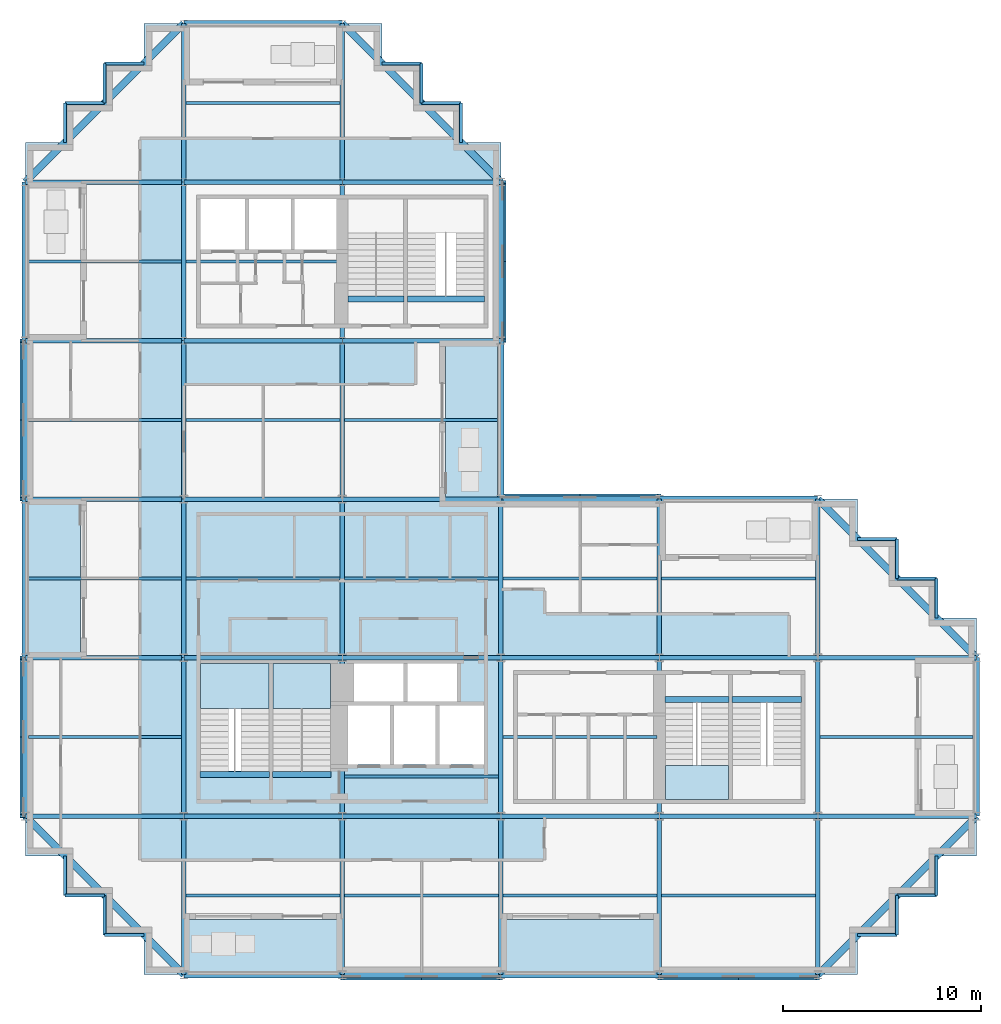
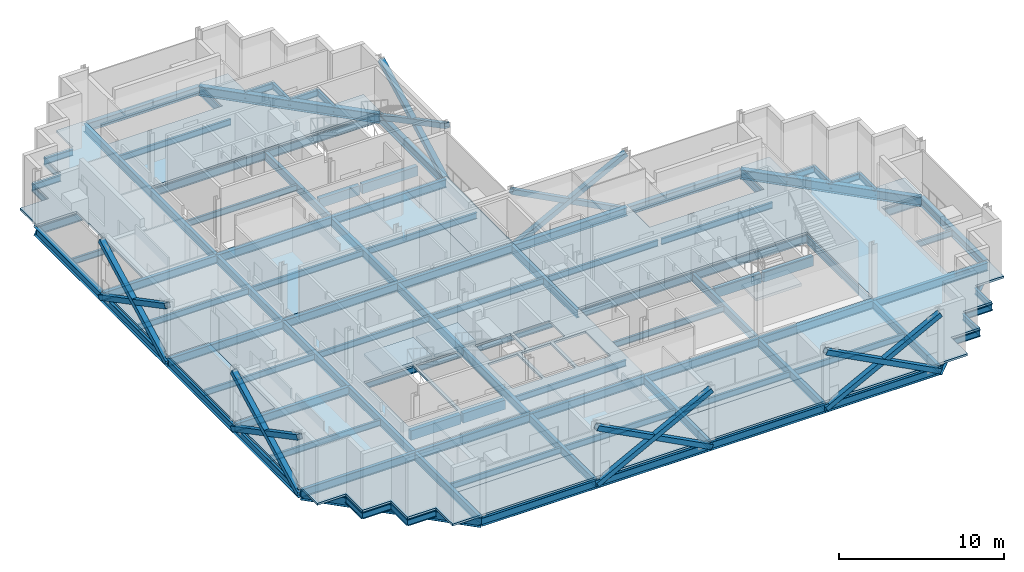
# One storey, part 3 of 13: 106 beams, 12 members, 9 slabs, 3 elements without a shape of their own.
"""IFC4 building model written with IfcOpenShell, lengths in metres."""

import ifcopenshell
import ifcopenshell.guid

model = None  # the IFC model being written
_history = None  # IfcOwnerHistory: only IFC2X3 demands one
_inside = {}  # id of a spatial element -> (the spatial element, [elements in it])
_under = {}  # id of a project, library or spatial element -> (it, [spatial elements below it])
_declared = {}  # id of a project -> (the project, [libraries it declares])
_typed = {}  # id of a type object -> (the type object, [elements of that type])
_made_of = {}  # id of a material, layer set ... -> (it, [elements and type objects made of it])


def new_model(schema):
    """Start an empty IFC model of exactly this schema.

    Asked for "IFC4X3", IfcOpenShell would pick the latest addendum, in which some entities
    have other attributes; the version numbers below select the first issue.
    IFC2X3 requires an IfcOwnerHistory on every rooted entity: one is made here for all.
    """
    global model, _history
    if schema == "IFC4X3":
        model = ifcopenshell.file(schema_version=(4, 3, 0, 0))
    else:
        model = ifcopenshell.file(schema=schema)
    _inside.clear()
    _under.clear()
    _declared.clear()
    _typed.clear()
    _made_of.clear()
    _history = None
    if model.schema == "IFC2X3":
        org = make("IfcOrganization", Name="unknown")
        user = make(
            "IfcPersonAndOrganization",
            ThePerson=make("IfcPerson", FamilyName="unknown"),
            TheOrganization=org,
        )
        app = make(
            "IfcApplication",
            ApplicationDeveloper=org,
            Version="unknown",
            ApplicationFullName="unknown",
            ApplicationIdentifier="unknown",
        )
        _history = make(
            "IfcOwnerHistory",
            OwningUser=user,
            OwningApplication=app,
            ChangeAction="ADDED",
            CreationDate=0,
        )
    return model


def make(cls, **values):
    """One entity of the class cls with the attributes given. An attribute that is None is left unset."""
    return model.create_entity(
        cls, **{name: value for name, value in values.items() if value is not None}
    )


def rooted(cls, **values):
    """An entity with a GlobalId (a new one), such as an element, a storey or a relation."""
    return make(cls, GlobalId=ifcopenshell.guid.new(), OwnerHistory=_history, **values)


def si_unit(unit_type, name, prefix=None):
    """IfcSIUnit, for example si_unit("LENGTHUNIT", "METRE", prefix="MILLI")."""
    return make("IfcSIUnit", UnitType=unit_type, Prefix=prefix, Name=name)


def assignment(units):
    """IfcUnitAssignment: the units of a project."""
    return None if units is None else make("IfcUnitAssignment", Units=units)


def point(xyz):
    """IfcCartesianPoint."""
    return None if xyz is None else make("IfcCartesianPoint", Coordinates=xyz)


def direction(xyz):
    """IfcDirection."""
    return None if xyz is None else make("IfcDirection", DirectionRatios=xyz)


def frame(location, z_axis=None, x_axis=None):
    """IfcAxis2Placement3D, a coordinate frame: its origin and axes. An axis left out is left unset."""
    return make(
        "IfcAxis2Placement3D",
        Location=point(location),
        Axis=direction(z_axis),
        RefDirection=direction(x_axis),
    )


def frame_2d(location, x_axis=None):
    """IfcAxis2Placement2D, a coordinate frame in the plane: its origin and x axis."""
    return make(
        "IfcAxis2Placement2D", Location=point(location), RefDirection=direction(x_axis)
    )


def origin():
    """The frame at (0, 0, 0) with its axes left unset."""
    return frame((0.0, 0.0, 0.0))


def origin_2d():
    """The frame at (0, 0) in the plane with its x axis left unset."""
    return frame_2d((0.0, 0.0))


def place(relative_to, where):
    """IfcLocalPlacement: puts the frame where relative to a parent placement (None: the world)."""
    return make(
        "IfcLocalPlacement", PlacementRelTo=relative_to, RelativePlacement=where
    )


def context(
    kind, dimensions, precision=None, world=None, true_north=None, identifier=None
):
    """IfcGeometricRepresentationContext, for example the 3D "Model" context."""
    return make(
        "IfcGeometricRepresentationContext",
        ContextIdentifier=identifier,
        ContextType=kind,
        CoordinateSpaceDimension=dimensions,
        Precision=precision,
        WorldCoordinateSystem=world,
        TrueNorth=true_north,
    )


def subcontext(parent, identifier, kind, view, scale=None):
    """IfcGeometricRepresentationSubContext, for example "Body" below "Model"."""
    return make(
        "IfcGeometricRepresentationSubContext",
        ContextIdentifier=identifier,
        ContextType=kind,
        ParentContext=parent,
        TargetScale=scale,
        TargetView=view,
    )


def project(units=None, contexts=None):
    """IfcProject with its units and contexts."""
    return rooted(
        "IfcProject",
        Name="project",
        RepresentationContexts=contexts,
        UnitsInContext=assignment(units),
    )


def spatial(cls, under=None, at=None, **own):
    """A site, building, storey or space (cls), placed at a placement, below another one or the project."""
    s = rooted(cls, ObjectPlacement=at, **own)
    if under is not None:
        _under.setdefault(under.id(), (under, []))[1].append(s)
    return s


def polyline(points):
    """IfcPolyline through the points."""
    return make("IfcPolyline", Points=[point(p) for p in points])


def profile(cls, at=None, kind="AREA", **sizes):
    """A parametric profile (cls). Its sizes go by their IFC names, for example OverallWidth=200.0."""
    return make(cls, ProfileType=kind, Position=at, **sizes)


def rectangle(**sizes):
    """IfcRectangleProfileDef."""
    return profile("IfcRectangleProfileDef", **sizes)


def hollow_rectangle(**sizes):
    """IfcRectangleHollowProfileDef."""
    return profile("IfcRectangleHollowProfileDef", **sizes)


def i_section(**sizes):
    """IfcIShapeProfileDef."""
    return profile("IfcIShapeProfileDef", **sizes)


def outline(outer, holes=None, kind="AREA"):
    """IfcArbitraryClosedProfileDef: a profile drawn as a closed curve; with holes, ...WithVoids."""
    if holes is None:
        return make("IfcArbitraryClosedProfileDef", ProfileType=kind, OuterCurve=outer)
    return make(
        "IfcArbitraryProfileDefWithVoids",
        ProfileType=kind,
        OuterCurve=outer,
        InnerCurves=holes,
    )


def extrude(swept, where, along, depth):
    """IfcExtrudedAreaSolid: the profile swept, set in the frame where, extruded along a direction by depth."""
    return make(
        "IfcExtrudedAreaSolid",
        SweptArea=swept,
        Position=where,
        ExtrudedDirection=direction(along),
        Depth=depth,
    )


def shape(context_of_items, identifier, shape_type, items):
    """IfcShapeRepresentation: the items that make up one representation, for example the "Body"."""
    return make(
        "IfcShapeRepresentation",
        ContextOfItems=context_of_items,
        RepresentationIdentifier=identifier,
        RepresentationType=shape_type,
        Items=items,
    )


def material(Name=None, Category=None):
    """IfcMaterial."""
    return make("IfcMaterial", Name=Name, Category=Category)


def layer(
    of_material, thickness, ventilated=None, Name=None, Category=None, Priority=None
):
    """IfcMaterialLayer: one layer of a wall or slab, of a material (None: an air gap)."""
    return make(
        "IfcMaterialLayer",
        Material=of_material,
        LayerThickness=thickness,
        IsVentilated=ventilated,
        Name=Name,
        Category=Category,
        Priority=Priority,
    )


def layer_set(layers, Name=None):
    """IfcMaterialLayerSet."""
    return make("IfcMaterialLayerSet", MaterialLayers=layers, LayerSetName=Name)


def material_profile(
    of_material, cross_section, Name=None, Category=None, Priority=None
):
    """IfcMaterialProfile: a cross section and its material."""
    return make(
        "IfcMaterialProfile",
        Name=Name,
        Material=of_material,
        Profile=cross_section,
        Priority=Priority,
        Category=Category,
    )


def profile_set(profiles, Name=None, composite=None):
    """IfcMaterialProfileSet."""
    return make(
        "IfcMaterialProfileSet",
        Name=Name,
        MaterialProfiles=profiles,
        CompositeProfile=composite,
    )


def made_of(thing, what):
    """Note that an element or type object is made of a material, layer set ...; save() writes the relation."""
    if what is not None:
        _made_of.setdefault(what.id(), (what, []))[1].append(thing)
    return thing


def type_object(cls, material=None, **own):
    """A type object (cls), such as IfcWallType, which elements share."""
    return made_of(rooted(cls, **own), material)


def element(
    cls,
    number,
    at=None,
    inside=None,
    cuts=None,
    type_object=None,
    material=None,
    context=None,
    identifier="Body",
    shape_type=None,
    held_by="IfcProductDefinitionShape",
    body=None,
    shapes=None,
    **own,
):
    """One element of the class cls, such as IfcWall. Its Tag is "e" and its number.

    at: its placement. inside: the storey or other place that contains it. cuts: it is an
    opening in that element (IfcRelVoidsElement). A single representation is given by context,
    identifier, shape_type and body (its items); several are given by shapes. held_by: the class
    of the entity that holds the representations. save() writes the other relations.
    """
    e = rooted(cls, Tag="e%d" % number, ObjectPlacement=at, **own)
    if body is not None:
        shapes = [shape(context, identifier, shape_type, body)]
    if shapes is not None:
        e.Representation = make(held_by, Representations=shapes)
    if inside is not None:
        _inside.setdefault(inside.id(), (inside, []))[1].append(e)
    if cuts is not None:
        rooted(
            "IfcRelVoidsElement", RelatingBuildingElement=cuts, RelatedOpeningElement=e
        )
    if type_object is not None:
        _typed.setdefault(type_object.id(), (type_object, []))[1].append(e)
    return made_of(e, material)


def aggregate(whole, parts):
    """IfcRelAggregates: a whole, such as a stair, and the parts it consists of."""
    return rooted("IfcRelAggregates", RelatingObject=whole, RelatedObjects=parts)


def save(model, path):
    """Write the relations noted so far, then the file.

    IfcRelAggregates (storeys below a building ...), IfcRelContainedInSpatialStructure (elements
    in a storey), IfcRelDefinesByType, IfcRelAssociatesMaterial and IfcRelDeclares: one each for
    every whole, place, type object, material and project.
    """
    for whole, parts in _under.values():
        aggregate(whole, parts)
    for where, things in _inside.values():
        rooted(
            "IfcRelContainedInSpatialStructure",
            RelatedElements=things,
            RelatingStructure=where,
        )
    for kind, things in _typed.values():
        rooted("IfcRelDefinesByType", RelatedObjects=things, RelatingType=kind)
    for what, things in _made_of.values():
        rooted("IfcRelAssociatesMaterial", RelatedObjects=things, RelatingMaterial=what)
    for by, libraries in _declared.values():
        rooted("IfcRelDeclares", RelatingContext=by, RelatedDefinitions=libraries)
    model.write(path)


model = new_model("IFC4")

# Units and contexts
model_context = context("Model", 3, precision=1e-05, world=origin(), true_north=direction((0.0, 1.0)))
body_context = subcontext(model_context, "Body", "Model", "MODEL_VIEW")
ifc_project = project(units=[si_unit("LENGTHUNIT", "METRE"), si_unit("AREAUNIT", "SQUARE_METRE"), si_unit("VOLUMEUNIT", "CUBIC_METRE"), si_unit("PLANEANGLEUNIT", "RADIAN"), si_unit("MASSUNIT", "GRAM", prefix="KILO")], contexts=[model_context])

# Site, building, storey
site_placement = place(None, origin())
site = spatial("IfcSite", under=ifc_project, at=site_placement, CompositionType="ELEMENT")
building_placement = place(site_placement, origin())
building = spatial("IfcBuilding", under=site, at=building_placement, Name="Immortelle Media Tower", CompositionType="ELEMENT")
storey_placement = place(building_placement, frame((0.0, 0.0, 166.199951171875)))
storey = spatial("IfcBuildingStorey", under=building, at=storey_placement, Name="L34", CompositionType="ELEMENT", Elevation=166.199951171875)

# Members
ifc_material_1 = material(Name="Steel ASTM A500 Gr C", Category="steel")
ifc_material_profile_1 = material_profile(ifc_material_1, hollow_rectangle(XDim=0.35595703125, YDim=0.35595703125, WallThickness=0.011962890625, at=origin_2d()), Name="HSS14x14x1/2 brace")
ifc_profile_set_1 = profile_set([ifc_material_profile_1], Name="Steel ASTM A500 Gr C")
member_type = type_object("IfcMemberType", Name="HSS14x14x1/2 brace", PredefinedType="BRACE", material=ifc_profile_set_1)
for number, where, z_axis, x_axis, name in (
    (1, (16.0, -0.087890625, -0.4560546875), (0.885389006355, 0.0, 0.464850844279), (0.0, 1.0, 0.0), "Brace A/3-4 A"),
    (2, (16.0, -0.087890625, 3.744140625), (0.885389006355, 0.0, -0.464850844279), (0.0, 1.0, 0.0), "Brace A/3-4 B"),
    (3, (32.0, -0.087890625, -0.4560546875), (0.885389006355, 0.0, 0.464850844279), (0.0, 1.0, 0.0), "Brace A/5-6 A"),
    (4, (32.0, -0.087890625, 3.744140625), (0.885389006355, 0.0, -0.464850844279), (0.0, 1.0, 0.0), "Brace A/5-6 B"),
    (5, (32.0, 24.087890625, -0.4560546875), (-0.885389006355, 0.0, 0.464850844279), (0.0, -1.0, 0.0), "Brace D/4-5 A"),
    (6, (32.0, 24.087890625, 3.744140625), (-0.885389006355, 0.0, -0.464850844279), (0.0, -1.0, 0.0), "Brace D/4-5 B"),
    (7, (24.087890625, 32.0, -0.4560546875), (0.0, 0.885389006355, 0.464850844279), (-1.0, 0.0, 0.0), "Brace 4/E-F A"),
    (8, (24.087890625, 32.0, 3.744140625), (0.0, 0.885389006355, -0.464850844279), (-1.0, 0.0, 0.0), "Brace 4/E-F B"),
    (9, (-0.087890625, 32.0, -0.4560546875), (0.0, -0.885389006355, 0.464850844279), (1.0, 0.0, 0.0), "Brace 1/D-E A"),
    (10, (-0.087890625, 32.0, 3.744140625), (0.0, -0.885389006355, -0.464850844279), (1.0, 0.0, 0.0), "Brace 1/D-E B"),
    (11, (-0.087890625, 16.0, -0.4560546875), (0.0, -0.885389006355, 0.464850844279), (1.0, 0.0, 0.0), "Brace 1/B-C A"),
    (12, (-0.087890625, 16.0, 3.744140625), (0.0, -0.885389006355, -0.464850844279), (1.0, 0.0, 0.0), "Brace 1/B-C B"),
):
    element("IfcMember", number, at=place(storey_placement, frame(where, z_axis=z_axis, x_axis=x_axis)), inside=storey, type_object=member_type, Name=name, PredefinedType="BRACE", context=body_context, shape_type="SweptSolid", body=[
        extrude(hollow_rectangle(XDim=0.35595703125, YDim=0.35595703125, WallThickness=0.011962890625, at=origin_2d()), origin(), (0.0, 0.0, 1.0), 9.03564453125),
    ])

# Beams
ifc_material_2 = material(Name="Concrete C50/60", Category="concrete")
ifc_material_profile_2 = material_profile(ifc_material_2, rectangle(XDim=0.300048828125, YDim=0.699951171875, at=origin_2d()), Name="RC 300x700")
ifc_profile_set_2 = profile_set([ifc_material_profile_2], Name="Concrete C50/60")
beam_type_1 = type_object("IfcBeamType", Name="Stair trimmer beam 300 x 700", PredefinedType="BEAM", material=ifc_profile_set_2)
beam_1_placement = place(storey_placement, frame((8.830078125, 10.10498046875, -0.5), z_axis=(1.0, 0.0, 0.0), x_axis=(0.0, 1.0, 0.0)))
element("IfcBeam", 13, at=beam_1_placement, inside=storey, type_object=beam_type_1, Name="Stair trimmer beam SW1", PredefinedType="BEAM", context=body_context, shape_type="SweptSolid", body=[
    extrude(rectangle(XDim=0.300048828125, YDim=0.699951171875, at=origin_2d()), origin(), (0.0, 0.0, 1.0), 3.489990234375),
])
beam_2_placement = place(storey_placement, frame((12.47998046875, 10.10498046875, -0.5), z_axis=(1.0, 0.0, 0.0), x_axis=(0.0, 1.0, 0.0)))
element("IfcBeam", 14, at=beam_2_placement, inside=storey, type_object=beam_type_1, Name="Stair trimmer beam SW2", PredefinedType="BEAM", context=body_context, shape_type="SweptSolid", body=[
    extrude(rectangle(XDim=0.300048828125, YDim=0.699951171875, at=origin_2d()), origin(), (0.0, 0.0, 1.0), 2.93994140625),
])
beam_3_placement = place(storey_placement, frame((32.280029296875, 13.89501953125, -0.5), z_axis=(1.0, 0.0, 0.0), x_axis=(0.0, 1.0, 0.0)))
element("IfcBeam", 15, at=beam_3_placement, inside=storey, type_object=beam_type_1, Name="Stair trimmer beam SE1", PredefinedType="BEAM", context=body_context, shape_type="SweptSolid", body=[
    extrude(rectangle(XDim=0.300048828125, YDim=0.699951171875, at=origin_2d()), origin(), (0.0, 0.0, 1.0), 3.239990234375),
])
beam_4_placement = place(storey_placement, frame((35.679931640625, 13.89501953125, -0.5), z_axis=(1.0, 0.0, 0.0), x_axis=(0.0, 1.0, 0.0)))
element("IfcBeam", 16, at=beam_4_placement, inside=storey, type_object=beam_type_1, Name="Stair trimmer beam SE2", PredefinedType="BEAM", context=body_context, shape_type="SweptSolid", body=[
    extrude(rectangle(XDim=0.300048828125, YDim=0.699951171875, at=origin_2d()), origin(), (0.0, 0.0, 1.0), 3.489990234375),
])
beam_5_placement = place(storey_placement, frame((16.280029296875, 34.10498046875, -0.5), z_axis=(1.0, 0.0, 0.0), x_axis=(0.0, 1.0, 0.0)))
element("IfcBeam", 17, at=beam_5_placement, inside=storey, type_object=beam_type_1, Name="Stair trimmer beam NW1", PredefinedType="BEAM", context=body_context, shape_type="SweptSolid", body=[
    extrude(rectangle(XDim=0.300048828125, YDim=0.699951171875, at=origin_2d()), origin(), (0.0, 0.0, 1.0), 2.840087890625),
])
beam_6_placement = place(storey_placement, frame((19.280029296875, 34.10498046875, -0.5), z_axis=(1.0, 0.0, 0.0), x_axis=(0.0, 1.0, 0.0)))
element("IfcBeam", 18, at=beam_6_placement, inside=storey, type_object=beam_type_1, Name="Stair trimmer beam NW2", PredefinedType="BEAM", context=body_context, shape_type="SweptSolid", body=[
    extrude(rectangle(XDim=0.300048828125, YDim=0.699951171875, at=origin_2d()), origin(), (0.0, 0.0, 1.0), 3.889892578125),
])
ifc_material_3 = material(Name="Steel ASTM A992 Gr 50", Category="steel")
ifc_material_profile_3 = material_profile(ifc_material_3, i_section(OverallWidth=0.153076171875, OverallDepth=0.455078125, WebThickness=0.008056640625, FlangeThickness=0.012939453125, at=origin_2d()), Name="W18x40")
ifc_profile_set_3 = profile_set([ifc_material_profile_3], Name="Steel ASTM A992 Gr 50")
beam_type_2 = type_object("IfcBeamType", Name="W18x40 secondary beam", PredefinedType="JOIST", material=ifc_profile_set_3)
for number, where, z_axis, x_axis, name in (
    (19, (8.114013671875, 4.0, -0.37744140625), (1.0, 0.0, 0.0), (0.0, 1.0, 0.0), "Beam A-B/2-3"),
    (20, (16.114013671875, 4.0, -0.37744140625), (1.0, 0.0, 0.0), (0.0, 1.0, 0.0), "Beam A-B/3-4"),
    (21, (24.114013671875, 4.0, -0.37744140625), (1.0, 0.0, 0.0), (0.0, 1.0, 0.0), "Beam A-B/4-5"),
    (22, (32.114013671875, 4.0, -0.37744140625), (1.0, 0.0, 0.0), (0.0, 1.0, 0.0), "Beam A-B/5-6"),
):
    element("IfcBeam", number, at=place(storey_placement, frame(where, z_axis=z_axis, x_axis=x_axis)), inside=storey, type_object=beam_type_2, Name=name, PredefinedType="JOIST", context=body_context, shape_type="SweptSolid", body=[
        extrude(i_section(OverallWidth=0.153076171875, OverallDepth=0.455078125, WebThickness=0.008056640625, FlangeThickness=0.012939453125, at=origin_2d()), origin(), (0.0, 0.0, 1.0), 7.77197265625),
    ])
beam_7_placement = place(storey_placement, frame((0.162109375, 12.0, -0.37744140625), z_axis=(1.0, 0.0, 0.0), x_axis=(0.0, 1.0, 0.0)))
element("IfcBeam", 23, at=beam_7_placement, inside=storey, type_object=beam_type_2, Name="Beam B-C/1-2", PredefinedType="JOIST", context=body_context, shape_type="SweptSolid", body=[
    extrude(i_section(OverallWidth=0.153076171875, OverallDepth=0.455078125, WebThickness=0.008056640625, FlangeThickness=0.012939453125, at=origin_2d()), origin(), (0.0, 0.0, 1.0), 7.723876953125),
])
for number, where, z_axis, x_axis, name in (
    (24, (16.114013671875, 10.0, -0.37744140625), (1.0, 0.0, 0.0), (0.0, 1.0, 0.0), "Beam B-C/3-4"),
    (25, (24.114013671875, 12.0, -0.37744140625), (1.0, 0.0, 0.0), (0.0, 1.0, 0.0), "Beam B-C/4-5"),
):
    element("IfcBeam", number, at=place(storey_placement, frame(where, z_axis=z_axis, x_axis=x_axis)), inside=storey, type_object=beam_type_2, Name=name, PredefinedType="JOIST", context=body_context, shape_type="SweptSolid", body=[
        extrude(i_section(OverallWidth=0.153076171875, OverallDepth=0.455078125, WebThickness=0.008056640625, FlangeThickness=0.012939453125, at=origin_2d()), origin(), (0.0, 0.0, 1.0), 7.77197265625),
    ])
for number, where, z_axis, x_axis, name in (
    (26, (40.114013671875, 12.0, -0.37744140625), (1.0, 0.0, 0.0), (0.0, 1.0, 0.0), "Beam B-C/6-7"),
    (27, (0.162109375, 20.0, -0.37744140625), (1.0, 0.0, 0.0), (0.0, 1.0, 0.0), "Beam C-D/1-2"),
):
    element("IfcBeam", number, at=place(storey_placement, frame(where, z_axis=z_axis, x_axis=x_axis)), inside=storey, type_object=beam_type_2, Name=name, PredefinedType="JOIST", context=body_context, shape_type="SweptSolid", body=[
        extrude(i_section(OverallWidth=0.153076171875, OverallDepth=0.455078125, WebThickness=0.008056640625, FlangeThickness=0.012939453125, at=origin_2d()), origin(), (0.0, 0.0, 1.0), 7.723876953125),
    ])
for number, where, z_axis, x_axis, name in (
    (28, (8.114013671875, 20.0, -0.37744140625), (1.0, 0.0, 0.0), (0.0, 1.0, 0.0), "Beam C-D/2-3"),
    (29, (16.114013671875, 20.0, -0.37744140625), (1.0, 0.0, 0.0), (0.0, 1.0, 0.0), "Beam C-D/3-4"),
    (30, (24.114013671875, 20.0, -0.37744140625), (1.0, 0.0, 0.0), (0.0, 1.0, 0.0), "Beam C-D/4-5"),
    (31, (32.114013671875, 20.0, -0.37744140625), (1.0, 0.0, 0.0), (0.0, 1.0, 0.0), "Beam C-D/5-6"),
):
    element("IfcBeam", number, at=place(storey_placement, frame(where, z_axis=z_axis, x_axis=x_axis)), inside=storey, type_object=beam_type_2, Name=name, PredefinedType="JOIST", context=body_context, shape_type="SweptSolid", body=[
        extrude(i_section(OverallWidth=0.153076171875, OverallDepth=0.455078125, WebThickness=0.008056640625, FlangeThickness=0.012939453125, at=origin_2d()), origin(), (0.0, 0.0, 1.0), 7.77197265625),
    ])
beam_8_placement = place(storey_placement, frame((0.162109375, 28.0, -0.37744140625), z_axis=(1.0, 0.0, 0.0), x_axis=(0.0, 1.0, 0.0)))
element("IfcBeam", 32, at=beam_8_placement, inside=storey, type_object=beam_type_2, Name="Beam D-E/1-2", PredefinedType="JOIST", context=body_context, shape_type="SweptSolid", body=[
    extrude(i_section(OverallWidth=0.153076171875, OverallDepth=0.455078125, WebThickness=0.008056640625, FlangeThickness=0.012939453125, at=origin_2d()), origin(), (0.0, 0.0, 1.0), 7.723876953125),
])
beam_9_placement = place(storey_placement, frame((8.114013671875, 28.0, -0.37744140625), z_axis=(1.0, 0.0, 0.0), x_axis=(0.0, 1.0, 0.0)))
element("IfcBeam", 33, at=beam_9_placement, inside=storey, type_object=beam_type_2, Name="Beam D-E/2-3", PredefinedType="JOIST", context=body_context, shape_type="SweptSolid", body=[
    extrude(i_section(OverallWidth=0.153076171875, OverallDepth=0.455078125, WebThickness=0.008056640625, FlangeThickness=0.012939453125, at=origin_2d()), origin(), (0.0, 0.0, 1.0), 7.77197265625),
])
for number, where, z_axis, x_axis, name in (
    (34, (16.114013671875, 28.0, -0.37744140625), (1.0, 0.0, 0.0), (0.0, 1.0, 0.0), "Beam D-E/3-4"),
    (35, (0.162109375, 36.0, -0.37744140625), (1.0, 0.0, 0.0), (0.0, 1.0, 0.0), "Beam E-F/1-2"),
):
    element("IfcBeam", number, at=place(storey_placement, frame(where, z_axis=z_axis, x_axis=x_axis)), inside=storey, type_object=beam_type_2, Name=name, PredefinedType="JOIST", context=body_context, shape_type="SweptSolid", body=[
        extrude(i_section(OverallWidth=0.153076171875, OverallDepth=0.455078125, WebThickness=0.008056640625, FlangeThickness=0.012939453125, at=origin_2d()), origin(), (0.0, 0.0, 1.0), 7.723876953125),
    ])
for number, where, z_axis, x_axis, name in (
    (36, (8.114013671875, 36.0, -0.37744140625), (1.0, 0.0, 0.0), (0.0, 1.0, 0.0), "Beam E-F/2-3"),
    (37, (8.114013671875, 44.0, -0.37744140625), (1.0, 0.0, 0.0), (0.0, 1.0, 0.0), "Beam F-G/2-3"),
):
    element("IfcBeam", number, at=place(storey_placement, frame(where, z_axis=z_axis, x_axis=x_axis)), inside=storey, type_object=beam_type_2, Name=name, PredefinedType="JOIST", context=body_context, shape_type="SweptSolid", body=[
        extrude(i_section(OverallWidth=0.153076171875, OverallDepth=0.455078125, WebThickness=0.008056640625, FlangeThickness=0.012939453125, at=origin_2d()), origin(), (0.0, 0.0, 1.0), 7.77197265625),
    ])
ifc_material_profile_4 = material_profile(ifc_material_3, i_section(OverallWidth=0.153076171875, OverallDepth=0.455078125, WebThickness=0.008056640625, FlangeThickness=0.012939453125, at=origin_2d()), Name="W18x40")
ifc_profile_set_4 = profile_set([ifc_material_profile_4], Name="Steel ASTM A992 Gr 50")
beam_type_3 = type_object("IfcBeamType", Name="W18x40 serration edge beam", PredefinedType="SPANDREL", material=ifc_profile_set_4)
for number, where, z_axis, x_axis, name in (
    (38, (6.0, 2.0, -0.37744140625), (-1.0, 0.0, 0.0), (0.0, -1.0, 0.0), "Corner edge beam 1 at 1/A"),
    (39, (4.0, 2.0, -0.37744140625), (0.0, 1.0, 0.0), (-1.0, 0.0, 0.0), "Corner edge beam 2 at 1/A"),
    (40, (4.0, 4.0, -0.37744140625), (-1.0, 0.0, 0.0), (0.0, -1.0, 0.0), "Corner edge beam 3 at 1/A"),
    (41, (2.0, 4.0, -0.37744140625), (0.0, 1.0, 0.0), (-1.0, 0.0, 0.0), "Corner edge beam 4 at 1/A"),
    (42, (2.0, 42.0, -0.37744140625), (0.0, 1.0, 0.0), (-1.0, 0.0, 0.0), "Corner edge beam 1 at 1/G"),
    (43, (2.0, 44.0, -0.37744140625), (1.0, 0.0, 0.0), (0.0, 1.0, 0.0), "Corner edge beam 2 at 1/G"),
    (44, (4.0, 44.0, -0.37744140625), (0.0, 1.0, 0.0), (-1.0, 0.0, 0.0), "Corner edge beam 3 at 1/G"),
    (45, (4.0, 46.0, -0.37744140625), (1.0, 0.0, 0.0), (0.0, 1.0, 0.0), "Corner edge beam 4 at 1/G"),
    (46, (18.0, 46.0, -0.37744140625), (1.0, 0.0, 0.0), (0.0, 1.0, 0.0), "Corner edge beam 1 at 4/G"),
    (47, (20.0, 46.0, -0.37744140625), (0.0, -1.0, 0.0), (1.0, 0.0, 0.0), "Corner edge beam 2 at 4/G"),
    (48, (20.0, 44.0, -0.37744140625), (1.0, 0.0, 0.0), (0.0, 1.0, 0.0), "Corner edge beam 3 at 4/G"),
    (49, (22.0, 44.0, -0.37744140625), (0.0, -1.0, 0.0), (1.0, 0.0, 0.0), "Corner edge beam 4 at 4/G"),
    (50, (46.0, 6.0, -0.37744140625), (0.0, -1.0, 0.0), (1.0, 0.0, 0.0), "Corner edge beam 1 at 7/A"),
    (51, (46.0, 4.0, -0.37744140625), (-1.0, 0.0, 0.0), (0.0, -1.0, 0.0), "Corner edge beam 2 at 7/A"),
    (52, (44.0, 4.0, -0.37744140625), (0.0, -1.0, 0.0), (1.0, 0.0, 0.0), "Corner edge beam 3 at 7/A"),
    (53, (44.0, 2.0, -0.37744140625), (-1.0, 0.0, 0.0), (0.0, -1.0, 0.0), "Corner edge beam 4 at 7/A"),
    (54, (42.0, 22.0, -0.37744140625), (1.0, 0.0, 0.0), (0.0, 1.0, 0.0), "Corner edge beam 1 at 7/D"),
    (55, (44.0, 22.0, -0.37744140625), (0.0, -1.0, 0.0), (1.0, 0.0, 0.0), "Corner edge beam 2 at 7/D"),
    (56, (44.0, 20.0, -0.37744140625), (1.0, 0.0, 0.0), (0.0, 1.0, 0.0), "Corner edge beam 3 at 7/D"),
    (57, (46.0, 20.0, -0.37744140625), (0.0, -1.0, 0.0), (1.0, 0.0, 0.0), "Corner edge beam 4 at 7/D"),
):
    element("IfcBeam", number, at=place(storey_placement, frame(where, z_axis=z_axis, x_axis=x_axis)), inside=storey, type_object=beam_type_3, Name=name, PredefinedType="SPANDREL", context=body_context, shape_type="SweptSolid", body=[
        extrude(i_section(OverallWidth=0.153076171875, OverallDepth=0.455078125, WebThickness=0.008056640625, FlangeThickness=0.012939453125, at=origin_2d()), origin(), (0.0, 0.0, 1.0), 2.0),
    ])
ifc_material_profile_5 = material_profile(ifc_material_3, i_section(OverallWidth=0.323974609375, OverallDepth=0.612060546875, WebThickness=0.012939453125, FlangeThickness=0.01904296875, at=origin_2d()), Name="W24x104")
ifc_profile_set_5 = profile_set([ifc_material_profile_5], Name="Steel ASTM A992 Gr 50")
beam_type_4 = type_object("IfcBeamType", Name="W24x104 perimeter girder", PredefinedType="SPANDREL", material=ifc_profile_set_5)
for number, where, z_axis, x_axis, name in (
    (58, (0.0, 8.0, -0.4560546875), (0.0, 1.0, 0.0), (-1.0, 0.0, 0.0), "Girder 1/B-C"),
    (59, (0.0, 16.0, -0.4560546875), (0.0, 1.0, 0.0), (-1.0, 0.0, 0.0), "Girder 1/C-D"),
    (60, (0.0, 24.0, -0.4560546875), (0.0, 1.0, 0.0), (-1.0, 0.0, 0.0), "Girder 1/D-E"),
    (61, (0.0, 32.0, -0.4560546875), (0.0, 1.0, 0.0), (-1.0, 0.0, 0.0), "Girder 1/E-F"),
    (62, (8.0, 0.0, -0.4560546875), (1.0, 0.0, 0.0), (0.0, 1.0, 0.0), "Girder A/2-3"),
    (63, (8.0, 48.0, -0.4560546875), (1.0, 0.0, 0.0), (0.0, 1.0, 0.0), "Girder G/2-3"),
    (64, (16.0, 0.0, -0.4560546875), (1.0, 0.0, 0.0), (0.0, 1.0, 0.0), "Girder A/3-4"),
    (65, (24.0, 0.0, -0.4560546875), (1.0, 0.0, 0.0), (0.0, 1.0, 0.0), "Girder A/4-5"),
    (66, (24.0, 24.0, -0.4560546875), (1.0, 0.0, 0.0), (0.0, 1.0, 0.0), "Girder D/4-5"),
    (67, (24.0, 24.0, -0.4560546875), (0.0, 1.0, 0.0), (-1.0, 0.0, 0.0), "Girder 4/D-E"),
    (68, (24.0, 32.0, -0.4560546875), (0.0, 1.0, 0.0), (-1.0, 0.0, 0.0), "Girder 4/E-F"),
    (69, (32.0, 0.0, -0.4560546875), (1.0, 0.0, 0.0), (0.0, 1.0, 0.0), "Girder A/5-6"),
    (70, (32.0, 24.0, -0.4560546875), (1.0, 0.0, 0.0), (0.0, 1.0, 0.0), "Girder D/5-6"),
    (71, (48.0, 8.0, -0.4560546875), (0.0, 1.0, 0.0), (-1.0, 0.0, 0.0), "Girder 7/B-C"),
):
    element("IfcBeam", number, at=place(storey_placement, frame(where, z_axis=z_axis, x_axis=x_axis)), inside=storey, type_object=beam_type_4, Name=name, PredefinedType="SPANDREL", context=body_context, shape_type="SweptSolid", body=[
        extrude(i_section(OverallWidth=0.323974609375, OverallDepth=0.612060546875, WebThickness=0.012939453125, FlangeThickness=0.01904296875, at=origin_2d()), origin(), (0.0, 0.0, 1.0), 8.0),
    ])
ifc_material_profile_6 = material_profile(ifc_material_3, i_section(OverallWidth=0.22802734375, OverallDepth=0.60205078125, WebThickness=0.010986328125, FlangeThickness=0.014892578125, at=origin_2d()), Name="W24x68")
ifc_profile_set_6 = profile_set([ifc_material_profile_6], Name="Steel ASTM A992 Gr 50")
beam_type_5 = type_object("IfcBeamType", Name="W24x68 girder", PredefinedType="BEAM", material=ifc_profile_set_6)
for number, where, z_axis, x_axis, name in (
    (72, (0.0, 8.0, -0.450927734375), (1.0, 0.0, 0.0), (0.0, 1.0, 0.0), "Girder B/1-2"),
    (73, (0.0, 16.0, -0.450927734375), (1.0, 0.0, 0.0), (0.0, 1.0, 0.0), "Girder C/1-2"),
    (74, (0.0, 24.0, -0.450927734375), (1.0, 0.0, 0.0), (0.0, 1.0, 0.0), "Girder D/1-2"),
    (75, (0.0, 32.0, -0.450927734375), (1.0, 0.0, 0.0), (0.0, 1.0, 0.0), "Girder E/1-2"),
    (76, (0.0, 40.0, -0.450927734375), (1.0, 0.0, 0.0), (0.0, 1.0, 0.0), "Girder F/1-2"),
    (77, (8.0, 0.0, -0.450927734375), (0.0, 1.0, 0.0), (-1.0, 0.0, 0.0), "Girder 2/A-B"),
    (78, (8.0, 8.0, -0.450927734375), (1.0, 0.0, 0.0), (0.0, 1.0, 0.0), "Girder B/2-3"),
    (79, (8.0, 8.0, -0.450927734375), (0.0, 1.0, 0.0), (-1.0, 0.0, 0.0), "Girder 2/B-C"),
    (80, (8.0, 16.0, -0.450927734375), (1.0, 0.0, 0.0), (0.0, 1.0, 0.0), "Girder C/2-3"),
    (81, (8.0, 16.0, -0.450927734375), (0.0, 1.0, 0.0), (-1.0, 0.0, 0.0), "Girder 2/C-D"),
    (82, (8.0, 24.0, -0.450927734375), (1.0, 0.0, 0.0), (0.0, 1.0, 0.0), "Girder D/2-3"),
    (83, (8.0, 24.0, -0.450927734375), (0.0, 1.0, 0.0), (-1.0, 0.0, 0.0), "Girder 2/D-E"),
    (84, (8.0, 32.0, -0.450927734375), (1.0, 0.0, 0.0), (0.0, 1.0, 0.0), "Girder E/2-3"),
    (85, (8.0, 32.0, -0.450927734375), (0.0, 1.0, 0.0), (-1.0, 0.0, 0.0), "Girder 2/E-F"),
    (86, (8.0, 40.0, -0.450927734375), (1.0, 0.0, 0.0), (0.0, 1.0, 0.0), "Girder F/2-3"),
    (87, (8.0, 40.0, -0.450927734375), (0.0, 1.0, 0.0), (-1.0, 0.0, 0.0), "Girder 2/F-G"),
    (88, (16.0, 0.0, -0.450927734375), (0.0, 1.0, 0.0), (-1.0, 0.0, 0.0), "Girder 3/A-B"),
    (89, (16.0, 8.0, -0.450927734375), (1.0, 0.0, 0.0), (0.0, 1.0, 0.0), "Girder B/3-4"),
    (90, (16.0, 8.0, -0.450927734375), (0.0, 1.0, 0.0), (-1.0, 0.0, 0.0), "Girder 3/B-C"),
    (91, (16.0, 16.0, -0.450927734375), (1.0, 0.0, 0.0), (0.0, 1.0, 0.0), "Girder C/3-4"),
    (92, (16.0, 16.0, -0.450927734375), (0.0, 1.0, 0.0), (-1.0, 0.0, 0.0), "Girder 3/C-D"),
    (93, (16.0, 24.0, -0.450927734375), (1.0, 0.0, 0.0), (0.0, 1.0, 0.0), "Girder D/3-4"),
    (94, (16.0, 24.0, -0.450927734375), (0.0, 1.0, 0.0), (-1.0, 0.0, 0.0), "Girder 3/D-E"),
    (95, (16.0, 32.0, -0.450927734375), (1.0, 0.0, 0.0), (0.0, 1.0, 0.0), "Girder E/3-4"),
    (96, (16.0, 32.0, -0.450927734375), (0.0, 1.0, 0.0), (-1.0, 0.0, 0.0), "Girder 3/E-F"),
    (97, (16.0, 40.0, -0.450927734375), (1.0, 0.0, 0.0), (0.0, 1.0, 0.0), "Girder F/3-4"),
    (98, (16.0, 40.0, -0.450927734375), (0.0, 1.0, 0.0), (-1.0, 0.0, 0.0), "Girder 3/F-G"),
    (99, (24.0, 0.0, -0.450927734375), (0.0, 1.0, 0.0), (-1.0, 0.0, 0.0), "Girder 4/A-B"),
    (100, (24.0, 8.0, -0.450927734375), (1.0, 0.0, 0.0), (0.0, 1.0, 0.0), "Girder B/4-5"),
    (101, (24.0, 8.0, -0.450927734375), (0.0, 1.0, 0.0), (-1.0, 0.0, 0.0), "Girder 4/B-C"),
    (102, (24.0, 16.0, -0.450927734375), (1.0, 0.0, 0.0), (0.0, 1.0, 0.0), "Girder C/4-5"),
    (103, (24.0, 16.0, -0.450927734375), (0.0, 1.0, 0.0), (-1.0, 0.0, 0.0), "Girder 4/C-D"),
    (104, (32.0, 0.0, -0.450927734375), (0.0, 1.0, 0.0), (-1.0, 0.0, 0.0), "Girder 5/A-B"),
    (105, (32.0, 8.0, -0.450927734375), (1.0, 0.0, 0.0), (0.0, 1.0, 0.0), "Girder B/5-6"),
    (106, (32.0, 8.0, -0.450927734375), (0.0, 1.0, 0.0), (-1.0, 0.0, 0.0), "Girder 5/B-C"),
    (107, (32.0, 16.0, -0.450927734375), (1.0, 0.0, 0.0), (0.0, 1.0, 0.0), "Girder C/5-6"),
    (108, (32.0, 16.0, -0.450927734375), (0.0, 1.0, 0.0), (-1.0, 0.0, 0.0), "Girder 5/C-D"),
    (109, (40.0, 0.0, -0.450927734375), (0.0, 1.0, 0.0), (-1.0, 0.0, 0.0), "Girder 6/A-B"),
    (110, (40.0, 8.0, -0.450927734375), (1.0, 0.0, 0.0), (0.0, 1.0, 0.0), "Girder B/6-7"),
    (111, (40.0, 8.0, -0.450927734375), (0.0, 1.0, 0.0), (-1.0, 0.0, 0.0), "Girder 6/B-C"),
    (112, (40.0, 16.0, -0.450927734375), (1.0, 0.0, 0.0), (0.0, 1.0, 0.0), "Girder C/6-7"),
    (113, (40.0, 16.0, -0.450927734375), (0.0, 1.0, 0.0), (-1.0, 0.0, 0.0), "Girder 6/C-D"),
):
    element("IfcBeam", number, at=place(storey_placement, frame(where, z_axis=z_axis, x_axis=x_axis)), inside=storey, type_object=beam_type_5, Name=name, PredefinedType="BEAM", context=body_context, shape_type="SweptSolid", body=[
        extrude(i_section(OverallWidth=0.22802734375, OverallDepth=0.60205078125, WebThickness=0.010986328125, FlangeThickness=0.014892578125, at=origin_2d()), origin(), (0.0, 0.0, 1.0), 8.0),
    ])
ifc_material_profile_7 = material_profile(ifc_material_3, i_section(OverallWidth=0.35595703125, OverallDepth=0.696044921875, WebThickness=0.014892578125, FlangeThickness=0.02490234375, at=origin_2d()), Name="W27x146")
ifc_profile_set_7 = profile_set([ifc_material_profile_7], Name="Steel ASTM A992 Gr 50")
beam_type_6 = type_object("IfcBeamType", Name="W27x146 corner girder", PredefinedType="SPANDREL", material=ifc_profile_set_7)
for number, where, z_axis, x_axis, name in (
    (114, (8.0, 0.0, -0.498046875), (-0.707106781187, 0.707106781187, 0.0), (-0.707106781187, -0.707106781187, 0.0), "Corner girder at 1/A"),
    (115, (0.0, 40.0, -0.498046875), (0.707106781187, 0.707106781187, 0.0), (-0.707106781187, 0.707106781187, 0.0), "Corner girder at 1/G"),
    (116, (16.0, 48.0, -0.498046875), (0.707106781187, -0.707106781187, 0.0), (0.707106781187, 0.707106781187, 0.0), "Corner girder at 4/G"),
    (117, (48.0, 8.0, -0.498046875), (-0.707106781187, -0.707106781187, 0.0), (0.707106781187, -0.707106781187, 0.0), "Corner girder at 7/A"),
    (118, (40.0, 24.0, -0.498046875), (0.707106781187, -0.707106781187, 0.0), (0.707106781187, 0.707106781187, 0.0), "Corner girder at 7/D"),
):
    element("IfcBeam", number, at=place(storey_placement, frame(where, z_axis=z_axis, x_axis=x_axis)), inside=storey, type_object=beam_type_6, Name=name, PredefinedType="SPANDREL", context=body_context, shape_type="SweptSolid", body=[
        extrude(i_section(OverallWidth=0.35595703125, OverallDepth=0.696044921875, WebThickness=0.014892578125, FlangeThickness=0.02490234375, at=origin_2d()), origin(), (0.0, 0.0, 1.0), 11.313720703125),
    ])

# Slabs
ifc_material_4 = material(Name="Concrete C50/60 composite deck", Category="concrete")
ifc_layer_1 = layer(ifc_material_4, 0.14990234375)
ifc_layer_set_1 = layer_set([ifc_layer_1], Name="Concrete C50/60 composite deck")
slab_type_1 = type_object("IfcSlabType", Name="Balcony slab 150", PredefinedType="FLOOR", material=ifc_layer_set_1)
slab_1_placement = place(storey_placement, frame((0.0, 0.0, -0.14990234375)))
element("IfcSlab", 119, at=slab_1_placement, inside=storey, type_object=slab_type_1, Name="Balcony slab L34 S0", PredefinedType="FLOOR", context=body_context, shape_type="SweptSolid", body=[
    extrude(outline(polyline([(16.0, 0.0), (16.0, 2.800048828125), (8.0, 2.800048828125), (8.0, 0.0), (16.0, 0.0)])), origin(), (0.0, 0.0, 1.0), 0.14990234375),
])
slab_2_placement = place(storey_placement, frame((0.0, 0.0, -0.14990234375)))
element("IfcSlab", 120, at=slab_2_placement, inside=storey, type_object=slab_type_1, Name="Balcony slab L34 S2", PredefinedType="FLOOR", context=body_context, shape_type="SweptSolid", body=[
    extrude(outline(polyline([(32.0, 0.0), (32.0, 2.800048828125), (24.0, 2.800048828125), (24.0, 0.0), (32.0, 0.0)])), origin(), (0.0, 0.0, 1.0), 0.14990234375),
])
slab_3_placement = place(storey_placement, frame((0.0, 0.0, -0.14990234375)))
element("IfcSlab", 121, at=slab_3_placement, inside=storey, type_object=slab_type_1, Name="Balcony slab L34 E0", PredefinedType="FLOOR", context=body_context, shape_type="SweptSolid", body=[
    extrude(outline(polyline([(24.0, 24.0), (24.0, 32.0), (21.199951171875, 32.0), (21.199951171875, 24.0), (24.0, 24.0)])), origin(), (0.0, 0.0, 1.0), 0.14990234375),
])
slab_4_placement = place(storey_placement, frame((0.0, 0.0, -0.14990234375)))
element("IfcSlab", 122, at=slab_4_placement, inside=storey, type_object=slab_type_1, Name="Balcony slab L34 W2", PredefinedType="FLOOR", context=body_context, shape_type="SweptSolid", body=[
    extrude(outline(polyline([(2.800048828125, 16.0), (2.800048828125, 24.0), (0.0, 24.0), (0.0, 16.0), (2.800048828125, 16.0)])), origin(), (0.0, 0.0, 1.0), 0.14990234375),
])
ifc_layer_2 = layer(ifc_material_2, 0.14990234375)
ifc_layer_set_2 = layer_set([ifc_layer_2], Name="Concrete C50/60")
slab_type_2 = type_object("IfcSlabType", Name="Composite floor slab 150", PredefinedType="FLOOR", material=ifc_layer_set_2)
slab_5_placement = place(storey_placement, frame((0.0, 0.0, -0.14990234375)))
element("IfcSlab", 123, at=slab_5_placement, inside=storey, type_object=slab_type_2, Name="Floor slab L34", PredefinedType="FLOOR", context=body_context, shape_type="SweptSolid", body=[
    extrude(outline(polyline([(6.0, 0.0), (6.0, 2.0), (4.0, 2.0), (4.0, 4.0), (2.0, 4.0), (2.0, 6.0), (0.0, 6.0), (0.0, 16.0), (2.800048828125, 16.0), (2.800048828125, 24.0), (0.0, 24.0), (0.0, 32.0), (2.800048828125, 32.0), (2.800048828125, 40.0), (0.0, 40.0), (0.0, 42.0), (2.0, 42.0), (2.0, 44.0), (4.0, 44.0), (4.0, 46.0), (6.0, 46.0), (6.0, 48.0), (8.0, 48.0), (8.0, 45.199951171875), (16.0, 45.199951171875), (16.0, 48.0), (18.0, 48.0), (18.0, 46.0), (20.0, 46.0), (20.0, 44.0), (22.0, 44.0), (22.0, 42.0), (24.0, 42.0), (24.0, 40.0), (8.0, 40.0), (8.0, 32.0), (21.199951171875, 32.0), (21.199951171875, 24.0), (8.0, 24.0), (8.0, 8.0), (24.0, 8.0), (40.0, 8.0), (40.0, 16.0), (24.0, 16.0), (24.0, 24.0), (32.0, 24.0), (32.0, 21.199951171875), (40.0, 21.199951171875), (40.0, 24.0), (42.0, 24.0), (42.0, 22.0), (44.0, 22.0), (44.0, 20.0), (46.0, 20.0), (46.0, 18.0), (48.0, 18.0), (48.0, 16.0), (45.199951171875, 16.0), (45.199951171875, 8.0), (48.0, 8.0), (48.0, 6.0), (46.0, 6.0), (46.0, 4.0), (44.0, 4.0), (44.0, 2.0), (42.0, 2.0), (42.0, 0.0), (32.0, 0.0), (32.0, 2.800048828125), (24.0, 2.800048828125), (24.0, 0.0), (16.0, 0.0), (16.0, 2.800048828125), (8.0, 2.800048828125), (8.0, 0.0), (6.0, 0.0)])), origin(), (0.0, 0.0, 1.0), 0.14990234375),
])
ifc_layer_3 = layer(ifc_material_2, 0.14990234375)
ifc_layer_set_3 = layer_set([ifc_layer_3], Name="Concrete C50/60")
slab_type_3 = type_object("IfcSlabType", Name="Core floor slab 150", PredefinedType="FLOOR", material=ifc_layer_set_3)
slab_6_placement = place(storey_placement, frame((0.0, 0.0, -0.14990234375)))
element("IfcSlab", 124, at=slab_6_placement, inside=storey, type_object=slab_type_3, Name="Core floor SW", PredefinedType="FLOOR", context=body_context, shape_type="SweptSolid", body=[
    extrude(outline(polyline([(8.0, 8.0), (24.0, 8.0), (24.0, 24.0), (8.0, 24.0), (8.0, 8.0)]), holes=[polyline([(16.60009765625, 13.800048828125), (19.10009765625, 13.800048828125), (19.10009765625, 15.699951171875), (16.60009765625, 15.699951171875), (16.60009765625, 13.800048828125)]), polyline([(19.300048828125, 13.800048828125), (21.800048828125, 13.800048828125), (21.800048828125, 15.699951171875), (19.300048828125, 15.699951171875), (19.300048828125, 13.800048828125)]), polyline([(16.300048828125, 10.60009765625), (18.39990234375, 10.60009765625), (18.39990234375, 13.60009765625), (16.300048828125, 13.60009765625), (16.300048828125, 10.60009765625)]), polyline([(18.60009765625, 10.60009765625), (20.699951171875, 10.60009765625), (20.699951171875, 13.60009765625), (18.60009765625, 13.60009765625), (18.60009765625, 10.60009765625)]), polyline([(20.89990234375, 10.60009765625), (23.14990234375, 10.60009765625), (23.14990234375, 13.60009765625), (20.89990234375, 13.60009765625), (20.89990234375, 10.60009765625)]), polyline([(8.85009765625, 10.27001953125), (12.300048828125, 10.27001953125), (12.300048828125, 15.699951171875), (8.85009765625, 15.699951171875), (8.85009765625, 10.27001953125)]), polyline([(12.5, 10.27001953125), (15.39990234375, 10.27001953125), (15.39990234375, 15.699951171875), (12.5, 15.699951171875), (12.5, 10.27001953125)])]), origin(), (0.0, 0.0, 1.0), 0.14990234375),
])

# Stair, slab
stair_type = type_object("IfcStairType", Name="Stair with flights", PredefinedType="DOUBLE_RETURN_STAIR", material=ifc_material_3)
stair_1_placement = place(storey_placement, origin())
stair_1 = element("IfcStair", 125, at=stair_1_placement, inside=storey, type_object=stair_type, Name="Exit stair SW1", PredefinedType="DOUBLE_RETURN_STAIR")
ifc_material_5 = material(Name="Steel ASTM A572 Gr 50", Category="steel")
ifc_layer_4 = layer(ifc_material_5, 0.199951171875)
ifc_layer_set_4 = layer_set([ifc_layer_4], Name="Steel ASTM A572 Gr 50")
slab_type_4 = type_object("IfcSlabType", Name="Stair landing 200", PredefinedType="LANDING", material=ifc_layer_set_4)
slab_7_placement = place(storey_placement, frame((0.0, 0.0, 1.900146484375)))
slab_7 = element("IfcSlab", 126, at=slab_7_placement, type_object=slab_type_4, Name="ST SW1 landing 1", PredefinedType="LANDING", context=body_context, shape_type="SweptSolid", body=[
    extrude(outline(polyline([(8.85009765625, 13.43994140625), (12.300048828125, 13.43994140625), (12.300048828125, 15.699951171875), (8.85009765625, 15.699951171875), (8.85009765625, 13.43994140625)])), origin(), (0.0, 0.0, 1.0), 0.199951171875),
])
aggregate(stair_1, [slab_7])

stair_2_placement = place(storey_placement, origin())
stair_2 = element("IfcStair", 127, at=stair_2_placement, inside=storey, type_object=stair_type, Name="Exit stair SW2", PredefinedType="DOUBLE_RETURN_STAIR")
slab_8_placement = place(storey_placement, frame((0.0, 0.0, 1.900146484375)))
slab_8 = element("IfcSlab", 128, at=slab_8_placement, type_object=slab_type_4, Name="ST SW2 landing 1", PredefinedType="LANDING", context=body_context, shape_type="SweptSolid", body=[
    extrude(outline(polyline([(12.5, 13.43994140625), (15.39990234375, 13.43994140625), (15.39990234375, 15.699951171875), (12.5, 15.699951171875), (12.5, 13.43994140625)])), origin(), (0.0, 0.0, 1.0), 0.199951171875),
])
aggregate(stair_2, [slab_8])

stair_3_placement = place(storey_placement, origin())
stair_3 = element("IfcStair", 129, at=stair_3_placement, inside=storey, type_object=stair_type, Name="Exit stair SE1", PredefinedType="DOUBLE_RETURN_STAIR")
slab_9_placement = place(storey_placement, frame((0.0, 0.0, 1.900146484375)))
slab_9 = element("IfcSlab", 130, at=slab_9_placement, type_object=slab_type_4, Name="ST SE1 landing 1", PredefinedType="LANDING", context=body_context, shape_type="SweptSolid", body=[
    extrude(outline(polyline([(32.300048828125, 8.85009765625), (35.5, 8.85009765625), (35.5, 10.56005859375), (32.300048828125, 10.56005859375), (32.300048828125, 8.85009765625)])), origin(), (0.0, 0.0, 1.0), 0.199951171875),
])
aggregate(stair_3, [slab_9])

save(model, "model.ifc")
